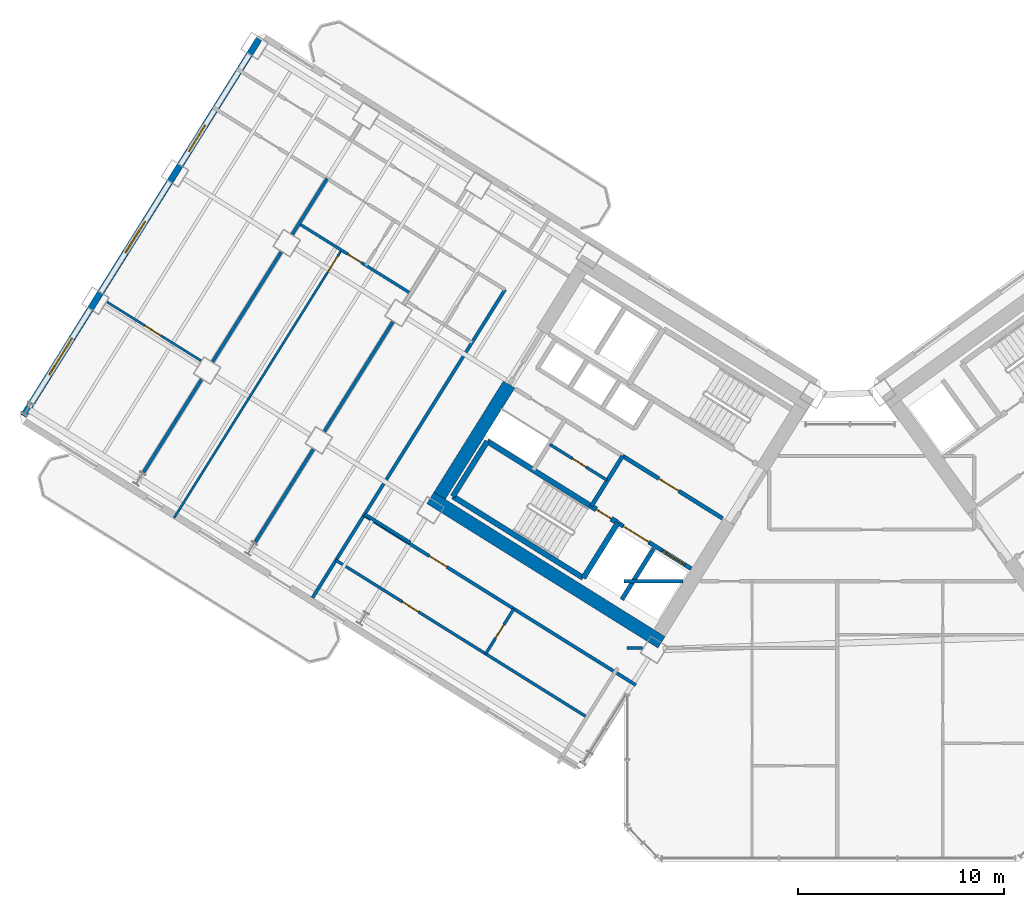
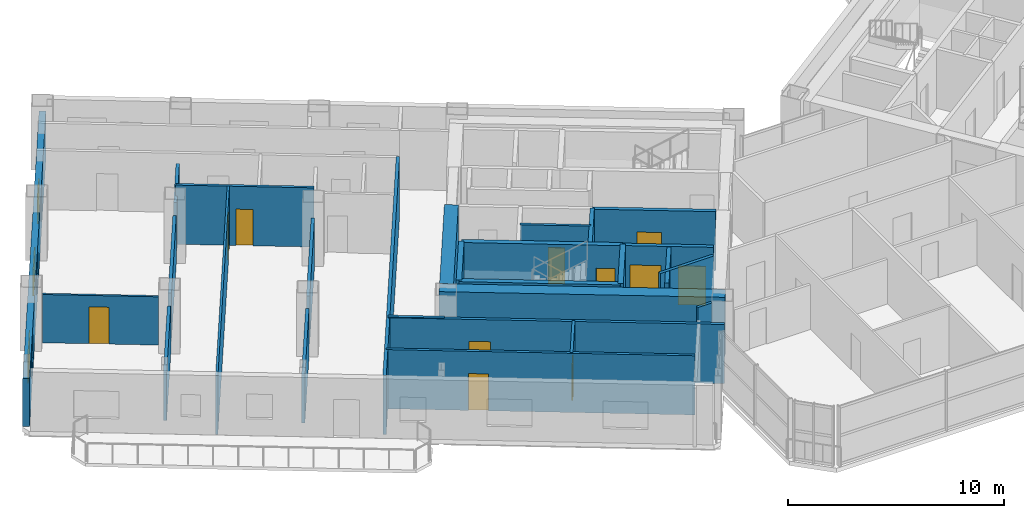
# One storey, part 15 of 24: 27 walls, 11 doors, 3 windows, 14 openings.
"""IFC4 building model written with IfcOpenShell, lengths in metres."""

from ifc_helpers import new_model, si_unit, direction, frame, frame_2d, origin, place, context, subcontext, project, spatial, rectangle, extrude, source, transform, mapped, material, layer, layer_set, type_object, element, fill, save


model = new_model("IFC4")

# Units and contexts
model_context = context("Model", 3, precision=1e-05, world=origin(), true_north=direction((0.0, 1.0)))
body_context = subcontext(model_context, "Body", "Model", "MODEL_VIEW")
ifc_project = project(units=[si_unit("LENGTHUNIT", "METRE"), si_unit("AREAUNIT", "SQUARE_METRE"), si_unit("VOLUMEUNIT", "CUBIC_METRE"), si_unit("PLANEANGLEUNIT", "RADIAN"), si_unit("MASSUNIT", "GRAM", prefix="KILO")], contexts=[model_context])

# Site, building, storey
site_placement = place(None, origin())
site = spatial("IfcSite", under=ifc_project, at=site_placement, CompositionType="ELEMENT")
building_placement = place(site_placement, origin())
building = spatial("IfcBuilding", under=site, at=building_placement, Name="Tlacorven Tower", CompositionType="ELEMENT")
storey_placement = place(building_placement, frame((0.0, 0.0, 38.39990234375)))
storey = spatial("IfcBuildingStorey", under=building, at=storey_placement, Name="L09", CompositionType="ELEMENT", Elevation=38.39990234375)

# Walls
ifc_material_1 = material(Name="Concrete C60/75", Category="concrete")
ifc_layer_1 = layer(ifc_material_1, 0.64990234375)
ifc_layer_set_1 = layer_set([ifc_layer_1], Name="Concrete C60/75")
wall_type_1 = type_object("IfcWallType", Name="WL-COR-650", PredefinedType="SHEAR", material=ifc_layer_set_1)
wall_1_placement = place(storey_placement, frame((33.40869140625, 12.449951171875, 0.0), z_axis=(0.0, 0.0, 1.0), x_axis=(-0.848051132073, 0.529914405721, 0.0)))
element("IfcWall", 1, at=wall_1_placement, inside=storey, type_object=wall_type_1, Name="L09 W core shear wall S2", PredefinedType="SHEAR", context=body_context, shape_type="SweptSolid", body=[
    extrude(rectangle(XDim=13.239990234375, YDim=0.64990234375, at=frame_2d((6.6201171875, 0.0))), origin(), (0.0, 0.0, 1.0), 3.35009765625),
])
wall_2_placement = place(storey_placement, frame((26.006591796875, 24.975830078125, 0.0), z_axis=(0.0, 0.0, 1.0), x_axis=(-0.529916319127, -0.848049936456, 0.0)))
element("IfcWall", 2, at=wall_2_placement, inside=storey, type_object=wall_type_1, Name="L09 W core end wall E2.2", PredefinedType="SHEAR", context=body_context, shape_type="SweptSolid", body=[
    extrude(rectangle(XDim=6.375, YDim=0.64990234375, at=frame_2d((3.1875, 0.0))), origin(), (0.0, 0.0, 1.0), 3.35009765625),
])
ifc_material_2 = material(Name="Gypsum plasterboard acoustic partition", Category="gypsum")
ifc_layer_2 = layer(ifc_material_2, 0.159912109375)
ifc_layer_set_2 = layer_set([ifc_layer_2], Name="Gypsum plasterboard acoustic partition")
wall_type_2 = type_object("IfcWallType", Name="WL-DEM-160", PredefinedType="PARTITIONING", material=ifc_layer_set_2)
wall_3_placement = place(storey_placement, frame((21.20556640625, 17.29248046875, 0.0), z_axis=(0.0, 0.0, 1.0), x_axis=(-0.848050851465, 0.529914854792, 0.0)))
element("IfcWall", 3, at=wall_3_placement, inside=storey, type_object=wall_type_2, Name="L09 partition 51", PredefinedType="PARTITIONING", context=body_context, shape_type="SweptSolid", body=[
    extrude(rectangle(XDim=2.60986328125, YDim=0.159912109375, at=frame_2d((1.304931640625, 0.0))), origin(), (0.0, 0.0, 1.0), 3.340087890625),
])
wall_4_placement = place(storey_placement, frame((25.806884765625, 29.58154296875, 0.0), z_axis=(0.0, 0.0, 1.0), x_axis=(-0.529918119251, -0.84804881162, 0.0)))
element("IfcWall", 4, at=wall_4_placement, inside=storey, type_object=wall_type_2, Name="L09 partition 53", PredefinedType="PARTITIONING", context=body_context, shape_type="SweptSolid", body=[
    extrude(rectangle(XDim=17.64990234375, YDim=0.159912109375, at=frame_2d((8.824951171875, 0.0))), origin(), (0.0, 0.0, 1.0), 3.340087890625),
])
wall_5_placement = place(storey_placement, frame((20.360595703125, 28.017822265625, 0.0), z_axis=(0.0, 0.0, 1.0), x_axis=(-0.529915015264, -0.848050751193, 0.0)))
element("IfcWall", 5, at=wall_5_placement, inside=storey, type_object=wall_type_2, Name="L09 WN Demising Wall 1", PredefinedType="PARTITIONING", context=body_context, shape_type="SweptSolid", body=[
    extrude(rectangle(XDim=6.27587890625, YDim=0.159912109375, at=frame_2d((3.137939453125, 0.0))), origin(), (0.0, 0.0, 1.0), 2.72509765625),
])
wall_6_placement = place(storey_placement, frame((16.4921875, 21.8271484375, 0.0), z_axis=(0.0, 0.0, 1.0), x_axis=(-0.529904608059, -0.848057254175, 0.0)))
element("IfcWall", 6, at=wall_6_placement, inside=storey, type_object=wall_type_2, Name="L09 WN Demising Wall 1", PredefinedType="PARTITIONING", context=body_context, shape_type="SweptSolid", body=[
    extrude(rectangle(XDim=5.350830078125, YDim=0.159912109375, at=frame_2d((2.67529296875, 0.0))), origin(), (0.0, 0.0, 1.0), 2.72509765625),
])
wall_7_placement = place(storey_placement, frame((17.165283203125, 34.9814453125, 0.0), z_axis=(0.0, 0.0, 1.0), x_axis=(-0.529930102756, -0.848041323399, 0.0)))
element("IfcWall", 7, at=wall_7_placement, inside=storey, type_object=wall_type_2, Name="L09 WN Demising Wall 2", PredefinedType="PARTITIONING", context=body_context, shape_type="SweptSolid", body=[
    extrude(rectangle(XDim=3.18798828125, YDim=0.159912109375, at=frame_2d((1.593994140625, 0.0))), origin(), (0.0, 0.0, 1.0), 2.72509765625),
])
wall_8_placement = place(storey_placement, frame((14.93310546875, 31.409423828125, 0.0), z_axis=(0.0, 0.0, 1.0), x_axis=(-0.529897533635, -0.848061674554, 0.0)))
element("IfcWall", 8, at=wall_8_placement, inside=storey, type_object=wall_type_2, Name="L09 WN Demising Wall 2", PredefinedType="PARTITIONING", context=body_context, shape_type="SweptSolid", body=[
    extrude(rectangle(XDim=6.276123046875, YDim=0.159912109375, at=frame_2d((3.13818359375, 0.0))), origin(), (0.0, 0.0, 1.0), 2.72509765625),
])
wall_9_placement = place(storey_placement, frame((11.064697265625, 25.218505859375, 0.0), z_axis=(0.0, 0.0, 1.0), x_axis=(-0.529904608059, -0.848057254175, 0.0)))
element("IfcWall", 9, at=wall_9_placement, inside=storey, type_object=wall_type_2, Name="L09 WN Demising Wall 2", PredefinedType="PARTITIONING", context=body_context, shape_type="SweptSolid", body=[
    extrude(rectangle(XDim=5.350830078125, YDim=0.159912109375, at=frame_2d((2.67529296875, 0.0))), origin(), (0.0, 0.0, 1.0), 2.72509765625),
])

# Wall, opening, door
wall_10_placement = place(storey_placement, frame((32.164306640625, 10.373779296875, 0.0), z_axis=(0.0, 0.0, 1.0), x_axis=(-0.848044107957, 0.529925646633, 0.0)))
wall_10 = element("IfcWall", 10, at=wall_10_placement, inside=storey, type_object=wall_type_2, Name="L09 partition 66", PredefinedType="PARTITIONING", context=body_context, shape_type="SweptSolid", body=[
    extrude(rectangle(XDim=15.570068359375, YDim=0.159912109375, at=frame_2d((7.78515625, 0.0))), origin(), (0.0, 0.0, 1.0), 3.340087890625),
])
opening_1_placement = place(wall_10_placement, frame((10.830078125, 0.0, 0.0)))
opening_1 = element("IfcOpeningElement", 11, at=opening_1_placement, cuts=wall_10, Name="Opening D11", PredefinedType="OPENING", context=body_context, shape_type="SweptSolid", body=[
    extrude(rectangle(XDim=1.0, YDim=2.10009765625, at=frame_2d((0.5, 1.050048828125))), frame((0.0, 0.08984375, 0.0), z_axis=(0.0, -1.0, 0.0), x_axis=(1.0, 0.0, 0.0)), (0.0, 0.0, 1.0), 0.179931640625),
])
ifc_material_3 = material(Name="Fire-rated steel door assembly", Category="steel")
door_type_1 = type_object("IfcDoorType", Name="DR-FLT-FD60-1000", OperationType="NOTDEFINED", PredefinedType="DOOR", material=ifc_material_3)
shared_shape_1 = source(origin(), body_context, "Body", "SweptSolid", [
    extrude(rectangle(XDim=1.0, YDim=2.10009765625, at=frame_2d((0.5, 1.050048828125))), frame((0.0, 0.02490234375, 0.0), z_axis=(0.0, -1.0, 0.0), x_axis=(1.0, 0.0, 0.0)), (0.0, 0.0, 1.0), 0.050048828125),
])
door_1_placement = place(opening_1_placement, origin())
door_1 = element("IfcDoor", 12, at=door_1_placement, inside=storey, type_object=door_type_1, Name="L09 door 035", OperationType="SINGLE_SWING_RIGHT", OverallHeight=2.10009765625, OverallWidth=1.0, PredefinedType="DOOR", context=body_context, shape_type="MappedRepresentation", body=[
    mapped(shared_shape_1, transform((0.0, 0.0, 0.0), scale=1.0)),
])
fill(opening_1, door_1)

# Wall
wall_11_placement = place(storey_placement, frame((31.60009765625, 15.419921875, 0.0), z_axis=(0.0, 0.0, 1.0), x_axis=(1.0, 0.0, 0.0)))
element("IfcWall", 13, at=wall_11_placement, inside=storey, type_object=wall_type_2, Name="L09 Knuckle Corridor South Wall", PredefinedType="PARTITIONING", context=body_context, shape_type="SweptSolid", body=[
    extrude(rectangle(XDim=2.8662109375, YDim=0.159912109375, at=frame_2d((1.43310546875, 0.0))), origin(), (0.0, 0.0, 1.0), 3.340087890625),
])

# Wall, openings, windows
ifc_material_4 = material(Name="Precast concrete C45/55", Category="concrete")
ifc_layer_3 = layer(ifc_material_4, 0.320068359375)
ifc_layer_set_3 = layer_set([ifc_layer_3], Name="Precast concrete C45/55")
wall_type_3 = type_object("IfcWallType", Name="WL-EXT-320", PredefinedType="STANDARD", material=ifc_layer_set_3)
wall_12_placement = place(storey_placement, frame((2.41455078125, 23.452392578125, 0.0), z_axis=(0.0, 0.0, 1.0), x_axis=(0.52991049553, 0.848053575387, 0.0)))
wall_12 = element("IfcWall", 14, at=wall_12_placement, inside=storey, type_object=wall_type_3, Name="L09 Masonry-Frame Recessed Facade Wall 2", PredefinedType="STANDARD", context=body_context, shape_type="SweptSolid", body=[
    extrude(rectangle(XDim=21.58740234375, YDim=0.320068359375, at=frame_2d((10.793701171875, 0.0))), origin(), (0.0, 0.0, 1.0), 2.72509765625),
])
opening_2_placement = place(wall_12_placement, frame((2.356201171875, 0.0, 0.800048828125)))
opening_2 = element("IfcOpeningElement", 15, at=opening_2_placement, cuts=wall_12, Name="Opening WN04", PredefinedType="OPENING", context=body_context, shape_type="SweptSolid", body=[
    extrude(rectangle(XDim=2.10009765625, YDim=1.550048828125, at=frame_2d((1.050048828125, 0.77490234375))), frame((0.0, 0.169921875, 0.0), z_axis=(0.0, -1.0, 0.0), x_axis=(1.0, 0.0, 0.0)), (0.0, 0.0, 1.0), 0.340087890625),
])
opening_3_placement = place(wall_12_placement, frame((9.34375, 0.0, 0.85009765625)))
opening_3 = element("IfcOpeningElement", 16, at=opening_3_placement, cuts=wall_12, Name="Opening WN01", PredefinedType="OPENING", context=body_context, shape_type="SweptSolid", body=[
    extrude(rectangle(XDim=1.800048828125, YDim=1.5, at=frame_2d((0.89990234375, 0.75))), frame((0.0, 0.169921875, 0.0), z_axis=(0.0, -1.0, 0.0), x_axis=(1.0, 0.0, 0.0)), (0.0, 0.0, 1.0), 0.340087890625),
])
opening_4_placement = place(wall_12_placement, frame((15.15380859375, 0.0, 0.85009765625)))
opening_4 = element("IfcOpeningElement", 17, at=opening_4_placement, cuts=wall_12, Name="Opening WN02", PredefinedType="OPENING", context=body_context, shape_type="SweptSolid", body=[
    extrude(rectangle(XDim=1.5, YDim=1.5, at=frame_2d((0.75, 0.75))), frame((0.0, 0.169921875, 0.0), z_axis=(0.0, -1.0, 0.0), x_axis=(1.0, 0.0, 0.0)), (0.0, 0.0, 1.0), 0.340087890625),
])
ifc_material_5 = material(Name="Dark solar low-E double glazing in anodised aluminium frame", Category="aluminium")
window_type_1 = type_object("IfcWindowType", Name="WN-APT-2100X1750", PartitioningType="SINGLE_PANEL", PredefinedType="WINDOW", material=ifc_material_5)
shared_shape_2 = source(origin(), body_context, "Body", "SweptSolid", [
    extrude(rectangle(XDim=2.10009765625, YDim=1.550048828125, at=frame_2d((1.050048828125, 0.77490234375))), frame((0.0, 0.030029296875, 0.0), z_axis=(0.0, -1.0, 0.0), x_axis=(1.0, 0.0, 0.0)), (0.0, 0.0, 1.0), 0.06005859375),
])
window_1_placement = place(opening_2_placement, origin())
window_1 = element("IfcWindow", 18, at=window_1_placement, inside=storey, type_object=window_type_1, Name="L09 Recessed Masonry-Frame Window L09-02.1", OverallHeight=1.550048828125, OverallWidth=2.10009765625, PartitioningType="SINGLE_PANEL", PredefinedType="WINDOW", context=body_context, shape_type="MappedRepresentation", body=[
    mapped(shared_shape_2, transform((0.0, 0.0, 0.0), scale=1.0)),
])
fill(opening_2, window_1)
window_type_2 = type_object("IfcWindowType", Name="WN-APT-1800X1650", PartitioningType="SINGLE_PANEL", PredefinedType="WINDOW", material=ifc_material_5)
shared_shape_3 = source(origin(), body_context, "Body", "SweptSolid", [
    extrude(rectangle(XDim=1.800048828125, YDim=1.5, at=frame_2d((0.89990234375, 0.75))), frame((0.0, 0.030029296875, 0.0), z_axis=(0.0, -1.0, 0.0), x_axis=(1.0, 0.0, 0.0)), (0.0, 0.0, 1.0), 0.06005859375),
])
window_2_placement = place(opening_3_placement, origin())
window_2 = element("IfcWindow", 19, at=window_2_placement, inside=storey, type_object=window_type_2, Name="L09 Recessed Masonry-Frame Window L09-02.2", OverallHeight=1.5, OverallWidth=1.800048828125, PartitioningType="SINGLE_PANEL", PredefinedType="WINDOW", context=body_context, shape_type="MappedRepresentation", body=[
    mapped(shared_shape_3, transform((0.0, 0.0, 0.0), scale=1.0)),
])
fill(opening_3, window_2)
window_type_3 = type_object("IfcWindowType", Name="WN-APT-1500X1650", PartitioningType="SINGLE_PANEL", PredefinedType="WINDOW", material=ifc_material_5)
shared_shape_4 = source(origin(), body_context, "Body", "SweptSolid", [
    extrude(rectangle(XDim=1.5, YDim=1.5, at=frame_2d((0.75, 0.75))), frame((0.0, 0.030029296875, 0.0), z_axis=(0.0, -1.0, 0.0), x_axis=(1.0, 0.0, 0.0)), (0.0, 0.0, 1.0), 0.06005859375),
])
window_3_placement = place(opening_4_placement, origin())
window_3 = element("IfcWindow", 20, at=window_3_placement, inside=storey, type_object=window_type_3, Name="L09 Recessed Masonry-Frame Window L09-02.3", OverallHeight=1.5, OverallWidth=1.5, PartitioningType="SINGLE_PANEL", PredefinedType="WINDOW", context=body_context, shape_type="MappedRepresentation", body=[
    mapped(shared_shape_4, transform((0.0, 0.0, 0.0), scale=1.0)),
])
fill(opening_4, window_3)

# Wall, opening, door
ifc_material_6 = material(Name="Gypsum plasterboard partition", Category="gypsum")
ifc_layer_4 = layer(ifc_material_6, 0.110107421875)
ifc_layer_set_4 = layer_set([ifc_layer_4], Name="Gypsum plasterboard partition")
wall_type_4 = type_object("IfcWallType", Name="WL-INT-110", PredefinedType="PARTITIONING", material=ifc_layer_set_4)
wall_13_placement = place(storey_placement, frame((17.860595703125, 31.504638671875, 0.0), z_axis=(0.0, 0.0, 1.0), x_axis=(-0.529928839727, -0.848042112649, 0.0)))
wall_13 = element("IfcWall", 21, at=wall_13_placement, inside=storey, type_object=wall_type_4, Name="L09 partition 62", PredefinedType="PARTITIONING", context=body_context, shape_type="SweptSolid", body=[
    extrude(rectangle(XDim=15.340087890625, YDim=0.110107421875, at=frame_2d((7.669921875, 0.0))), origin(), (0.0, 0.0, 1.0), 3.340087890625),
])
opening_5_placement = place(wall_13_placement, frame((0.35009765625, 0.0, 0.0)))
opening_5 = element("IfcOpeningElement", 22, at=opening_5_placement, cuts=wall_13, Name="Opening D12", PredefinedType="OPENING", context=body_context, shape_type="SweptSolid", body=[
    extrude(rectangle(XDim=0.919921875, YDim=2.080078125, at=frame_2d((0.4599609375, 1.0400390625))), frame((0.0, 0.06494140625, 0.0), z_axis=(0.0, -1.0, 0.0), x_axis=(1.0, 0.0, 0.0)), (0.0, 0.0, 1.0), 0.130126953125),
])
ifc_material_7 = material(Name="Powder-coated aluminium and timber door", Category="wood")
door_type_2 = type_object("IfcDoorType", Name="DR-INT-ROOM-0920", OperationType="NOTDEFINED", PredefinedType="DOOR", material=ifc_material_7)
shared_shape_5 = source(origin(), body_context, "Body", "SweptSolid", [
    extrude(rectangle(XDim=0.919921875, YDim=2.080078125, at=frame_2d((0.4599609375, 1.0400390625))), frame((0.0, 0.02490234375, 0.0), z_axis=(0.0, -1.0, 0.0), x_axis=(1.0, 0.0, 0.0)), (0.0, 0.0, 1.0), 0.050048828125),
])
door_2_placement = place(opening_5_placement, origin())
door_2 = element("IfcDoor", 23, at=door_2_placement, inside=storey, type_object=door_type_2, Name="L09 door 026", OperationType="SINGLE_SWING_LEFT", OverallHeight=2.080078125, OverallWidth=0.919921875, PredefinedType="DOOR", context=body_context, shape_type="MappedRepresentation", body=[
    mapped(shared_shape_5, transform((0.0, 0.0, 0.0), scale=1.0)),
])
fill(opening_5, door_2)

wall_14_placement = place(storey_placement, frame((11.033203125, 26.134521484375, 0.0), z_axis=(0.0, 0.0, 1.0), x_axis=(-0.848044224181, 0.529925460639, 0.0)))
wall_14 = element("IfcWall", 24, at=wall_14_placement, inside=storey, type_object=wall_type_4, Name="L09 partition 63", PredefinedType="PARTITIONING", context=body_context, shape_type="SweptSolid", body=[
    extrude(rectangle(XDim=5.3759765625, YDim=0.110107421875, at=frame_2d((2.68798828125, 0.0))), origin(), (0.0, 0.0, 1.0), 2.72509765625),
])
opening_6_placement = place(wall_14_placement, frame((2.2880859375, 0.0, 0.0)))
opening_6 = element("IfcOpeningElement", 25, at=opening_6_placement, cuts=wall_14, Name="Opening D12", PredefinedType="OPENING", context=body_context, shape_type="SweptSolid", body=[
    extrude(rectangle(XDim=0.919921875, YDim=2.080078125, at=frame_2d((0.4599609375, 1.0400390625))), frame((0.0, 0.06494140625, 0.0), z_axis=(0.0, -1.0, 0.0), x_axis=(1.0, 0.0, 0.0)), (0.0, 0.0, 1.0), 0.130126953125),
])
door_3_placement = place(opening_6_placement, origin())
door_3 = element("IfcDoor", 26, at=door_3_placement, inside=storey, type_object=door_type_2, Name="L09 door 031", OperationType="SINGLE_SWING_RIGHT", OverallHeight=2.080078125, OverallWidth=0.919921875, PredefinedType="DOOR", context=body_context, shape_type="MappedRepresentation", body=[
    mapped(shared_shape_5, transform((0.0, 0.0, 0.0), scale=1.0)),
])
fill(opening_6, door_3)

ifc_material_8 = material(Name="Moisture-resistant gypsum plumbing wall", Category="gypsum")
ifc_layer_5 = layer(ifc_material_8, 0.139892578125)
ifc_layer_set_5 = layer_set([ifc_layer_5], Name="Moisture-resistant gypsum plumbing wall")
wall_type_5 = type_object("IfcWallType", Name="WL-PLM-140", PredefinedType="PLUMBINGWALL", material=ifc_layer_set_5)
wall_15_placement = place(storey_placement, frame((30.766357421875, 20.3271484375, 0.0), z_axis=(0.0, 0.0, 1.0), x_axis=(-0.848052663127, 0.529911955482, 0.0)))
wall_15 = element("IfcWall", 27, at=wall_15_placement, inside=storey, type_object=wall_type_5, Name="L09 partition 23", PredefinedType="PLUMBINGWALL", context=body_context, shape_type="SweptSolid", body=[
    extrude(rectangle(XDim=3.27978515625, YDim=0.139892578125, at=frame_2d((1.639892578125, 0.0))), origin(), (0.0, 0.0, 1.0), 3.340087890625),
])
opening_7_placement = place(wall_15_placement, frame((1.199951171875, 0.0, 0.0)))
opening_7 = element("IfcOpeningElement", 28, at=opening_7_placement, cuts=wall_15, Name="Opening D22", PredefinedType="OPENING", context=body_context, shape_type="SweptSolid", body=[
    extrude(rectangle(XDim=0.780029296875, YDim=2.050048828125, at=frame_2d((0.39013671875, 1.02490234375))), frame((0.0, 0.080078125, 0.0), z_axis=(0.0, -1.0, 0.0), x_axis=(1.0, 0.0, 0.0)), (0.0, 0.0, 1.0), 0.159912109375),
])
door_type_3 = type_object("IfcDoorType", Name="DR-INT-WET-0780", OperationType="NOTDEFINED", PredefinedType="DOOR", material=ifc_material_7)
shared_shape_6 = source(origin(), body_context, "Body", "SweptSolid", [
    extrude(rectangle(XDim=0.780029296875, YDim=2.050048828125, at=frame_2d((0.39013671875, 1.02490234375))), frame((0.0, 0.02490234375, 0.0), z_axis=(0.0, -1.0, 0.0), x_axis=(1.0, 0.0, 0.0)), (0.0, 0.0, 1.0), 0.050048828125),
])
door_4_placement = place(opening_7_placement, origin())
door_4 = element("IfcDoor", 29, at=door_4_placement, inside=storey, type_object=door_type_3, Name="L09 door 008", OperationType="SINGLE_SWING_RIGHT", OverallHeight=2.050048828125, OverallWidth=0.780029296875, PredefinedType="DOOR", context=body_context, shape_type="MappedRepresentation", body=[
    mapped(shared_shape_6, transform((0.0, 0.0, 0.0), scale=1.0)),
])
fill(opening_7, door_4)

wall_16_placement = place(storey_placement, frame((21.2255859375, 29.40185546875, 0.0), z_axis=(0.0, 0.0, 1.0), x_axis=(-0.848039019877, 0.529933789039, 0.0)))
wall_16 = element("IfcWall", 30, at=wall_16_placement, inside=storey, type_object=wall_type_5, Name="L09 partition 60", PredefinedType="PLUMBINGWALL", context=body_context, shape_type="SweptSolid", body=[
    extrude(rectangle(XDim=6.400146484375, YDim=0.139892578125, at=frame_2d((3.2001953125, 0.0))), origin(), (0.0, 0.0, 1.0), 3.340087890625),
])
opening_8_placement = place(wall_16_placement, frame((2.823974609375, 0.0, 0.0)))
opening_8 = element("IfcOpeningElement", 31, at=opening_8_placement, cuts=wall_16, Name="Opening D22", PredefinedType="OPENING", context=body_context, shape_type="SweptSolid", body=[
    extrude(rectangle(XDim=0.780029296875, YDim=2.050048828125, at=frame_2d((0.39013671875, 1.02490234375))), frame((0.0, 0.080078125, 0.0), z_axis=(0.0, -1.0, 0.0), x_axis=(1.0, 0.0, 0.0)), (0.0, 0.0, 1.0), 0.159912109375),
])
door_5_placement = place(opening_8_placement, origin())
door_5 = element("IfcDoor", 32, at=door_5_placement, inside=storey, type_object=door_type_3, Name="L09 door 028", OperationType="SINGLE_SWING_LEFT", OverallHeight=2.050048828125, OverallWidth=0.780029296875, PredefinedType="DOOR", context=body_context, shape_type="MappedRepresentation", body=[
    mapped(shared_shape_6, transform((0.0, 0.0, 0.0), scale=1.0)),
])
fill(opening_8, door_5)

wall_17_placement = place(storey_placement, frame((29.72021484375, 8.85888671875, 0.0), z_axis=(0.0, 0.0, 1.0), x_axis=(-0.848049134363, 0.529917602752, 0.0)))
wall_17 = element("IfcWall", 33, at=wall_17_placement, inside=storey, type_object=wall_type_5, Name="L09 partition 68", PredefinedType="PLUMBINGWALL", context=body_context, shape_type="SweptSolid", body=[
    extrude(rectangle(XDim=14.300048828125, YDim=0.139892578125, at=frame_2d((7.14990234375, 0.0))), origin(), (0.0, 0.0, 1.0), 3.340087890625),
])
opening_9_placement = place(wall_17_placement, frame((9.570068359375, 0.0, 0.0)))
opening_9 = element("IfcOpeningElement", 34, at=opening_9_placement, cuts=wall_17, Name="Opening D12", PredefinedType="OPENING", context=body_context, shape_type="SweptSolid", body=[
    extrude(rectangle(XDim=0.919921875, YDim=2.080078125, at=frame_2d((0.4599609375, 1.0400390625))), frame((0.0, 0.080078125, 0.0), z_axis=(0.0, -1.0, 0.0), x_axis=(1.0, 0.0, 0.0)), (0.0, 0.0, 1.0), 0.159912109375),
])
door_6_placement = place(opening_9_placement, origin())
door_6 = element("IfcDoor", 35, at=door_6_placement, inside=storey, type_object=door_type_2, Name="L09 door 036", OperationType="SINGLE_SWING_LEFT", OverallHeight=2.080078125, OverallWidth=0.919921875, PredefinedType="DOOR", context=body_context, shape_type="MappedRepresentation", body=[
    mapped(shared_shape_5, transform((0.0, 0.0, 0.0), scale=1.0)),
])
fill(opening_9, door_6)

wall_18_placement = place(storey_placement, frame((26.236572265625, 14.077880859375, 0.0), z_axis=(0.0, 0.0, 1.0), x_axis=(-0.52995640672, -0.848024885824, 0.0)))
wall_18 = element("IfcWall", 36, at=wall_18_placement, inside=storey, type_object=wall_type_5, Name="L09 partition 69", PredefinedType="PLUMBINGWALL", context=body_context, shape_type="SweptSolid", body=[
    extrude(rectangle(XDim=2.579833984375, YDim=0.139892578125, at=frame_2d((1.2900390625, 0.0))), origin(), (0.0, 0.0, 1.0), 3.340087890625),
])
opening_10_placement = place(wall_18_placement, frame((0.89990234375, 0.0, 0.0)))
opening_10 = element("IfcOpeningElement", 37, at=opening_10_placement, cuts=wall_18, Name="Opening D22", PredefinedType="OPENING", context=body_context, shape_type="SweptSolid", body=[
    extrude(rectangle(XDim=0.780029296875, YDim=2.050048828125, at=frame_2d((0.39013671875, 1.02490234375))), frame((0.0, 0.080078125, 0.0), z_axis=(0.0, -1.0, 0.0), x_axis=(1.0, 0.0, 0.0)), (0.0, 0.0, 1.0), 0.159912109375),
])
door_7_placement = place(opening_10_placement, origin())
door_7 = element("IfcDoor", 38, at=door_7_placement, inside=storey, type_object=door_type_3, Name="L09 door 037", OperationType="SINGLE_SWING_RIGHT", OverallHeight=2.050048828125, OverallWidth=0.780029296875, PredefinedType="DOOR", context=body_context, shape_type="MappedRepresentation", body=[
    mapped(shared_shape_6, transform((0.0, 0.0, 0.0), scale=1.0)),
])
fill(opening_10, door_7)

# Wall
wall_19_placement = place(storey_placement, frame((31.739990234375, 12.169921875, 0.0), z_axis=(0.0, 0.0, 1.0), x_axis=(1.0, 0.0, 0.0)))
element("IfcWall", 39, at=wall_19_placement, inside=storey, type_object=wall_type_5, Name="L09 partition 79", PredefinedType="PLUMBINGWALL", context=body_context, shape_type="SweptSolid", body=[
    extrude(rectangle(XDim=0.75439453125, YDim=0.139892578125, at=frame_2d((0.377197265625, 0.0))), origin(), (0.0, 0.0, 1.0), 3.340087890625),
])

# Wall, openings, doors
ifc_material_9 = material(Name="Concrete C40/50", Category="concrete")
ifc_layer_6 = layer(ifc_material_9, 0.199951171875)
ifc_layer_set_6 = layer_set([ifc_layer_6], Name="Concrete C40/50")
wall_type_6 = type_object("IfcWallType", Name="WL-SHF-200", PredefinedType="STANDARD", material=ifc_layer_set_6)
wall_20_placement = place(storey_placement, frame((34.84814453125, 16.03125, 0.0), z_axis=(0.0, 0.0, 1.0), x_axis=(-0.848044042236, 0.529925751807, 0.0)))
wall_20 = element("IfcWall", 40, at=wall_20_placement, inside=storey, type_object=wall_type_6, Name="L09 Core W Firefighting Lift Shaft Front Wall", PredefinedType="STANDARD", context=body_context, shape_type="SweptSolid", body=[
    extrude(rectangle(XDim=4.197998046875, YDim=0.199951171875, at=frame_2d((2.09912109375, 0.0))), origin(), (0.0, 0.0, 1.0), 3.340087890625),
])
opening_11_placement = place(wall_20_placement, frame((0.347900390625, 0.0, 0.0)))
opening_11 = element("IfcOpeningElement", 41, at=opening_11_placement, cuts=wall_20, Name="Opening LD03", PredefinedType="OPENING", context=body_context, shape_type="SweptSolid", body=[
    extrude(rectangle(XDim=1.300048828125, YDim=2.199951171875, at=frame_2d((0.64990234375, 1.10009765625))), frame((0.0, 0.10986328125, 0.0), z_axis=(0.0, -1.0, 0.0), x_axis=(1.0, 0.0, 0.0)), (0.0, 0.0, 1.0), 0.219970703125),
])
opening_12_placement = place(wall_20_placement, frame((2.423095703125, 0.0, 0.0)))
opening_12 = element("IfcOpeningElement", 42, at=opening_12_placement, cuts=wall_20, Name="Opening LD04", PredefinedType="OPENING", context=body_context, shape_type="SweptSolid", body=[
    extrude(rectangle(XDim=1.449951171875, YDim=2.25, at=frame_2d((0.72509765625, 1.125))), frame((0.0, 0.10986328125, 0.0), z_axis=(0.0, -1.0, 0.0), x_axis=(1.0, 0.0, 0.0)), (0.0, 0.0, 1.0), 0.219970703125),
])
door_type_4 = type_object("IfcDoorType", Name="DR-LFT-SLID-1300", OperationType="DOUBLE_DOOR_SLIDING", PredefinedType="DOOR", material=ifc_material_3)
shared_shape_7 = source(origin(), body_context, "Body", "SweptSolid", [
    extrude(rectangle(XDim=1.300048828125, YDim=2.199951171875, at=frame_2d((0.64990234375, 1.10009765625))), frame((0.0, 0.02490234375, 0.0), z_axis=(0.0, -1.0, 0.0), x_axis=(1.0, 0.0, 0.0)), (0.0, 0.0, 1.0), 0.050048828125),
])
door_8_placement = place(opening_11_placement, origin())
door_8 = element("IfcDoor", 43, at=door_8_placement, inside=storey, type_object=door_type_4, Name="L09 Lift FFL-W1 Sliding Landing Door", OperationType="DOUBLE_DOOR_SLIDING", OverallHeight=2.199951171875, OverallWidth=1.300048828125, PredefinedType="DOOR", context=body_context, shape_type="MappedRepresentation", body=[
    mapped(shared_shape_7, transform((0.0, 0.0, 0.0), scale=1.0)),
])
fill(opening_11, door_8)
door_type_5 = type_object("IfcDoorType", Name="DR-LFT-SLID-1450", OperationType="DOUBLE_DOOR_SLIDING", PredefinedType="DOOR", material=ifc_material_3)
shared_shape_8 = source(origin(), body_context, "Body", "SweptSolid", [
    extrude(rectangle(XDim=1.449951171875, YDim=2.25, at=frame_2d((0.72509765625, 1.125))), frame((0.0, 0.02490234375, 0.0), z_axis=(0.0, -1.0, 0.0), x_axis=(1.0, 0.0, 0.0)), (0.0, 0.0, 1.0), 0.050048828125),
])
door_9_placement = place(opening_12_placement, origin())
door_9 = element("IfcDoor", 44, at=door_9_placement, inside=storey, type_object=door_type_5, Name="L09 Lift SVL-W1 Sliding Landing Door", OperationType="DOUBLE_DOOR_SLIDING", OverallHeight=2.25, OverallWidth=1.449951171875, PredefinedType="DOOR", context=body_context, shape_type="MappedRepresentation", body=[
    mapped(shared_shape_8, transform((0.0, 0.0, 0.0), scale=1.0)),
])
fill(opening_12, door_9)

# Wall, opening, door
wall_21_placement = place(storey_placement, frame((36.374267578125, 18.4736328125, 0.0), z_axis=(0.0, 0.0, 1.0), x_axis=(-0.848051071577, 0.529914502535, 0.0)))
wall_21 = element("IfcWall", 45, at=wall_21_placement, inside=storey, type_object=wall_type_6, Name="L09 Core W Smoke Lobby Wall", PredefinedType="STANDARD", context=body_context, shape_type="SweptSolid", body=[
    extrude(rectangle(XDim=5.718017578125, YDim=0.199951171875, at=frame_2d((2.85888671875, 0.0))), origin(), (0.0, 0.0, 1.0), 3.340087890625),
])
opening_13_placement = place(wall_21_placement, frame((2.498046875, 0.0, 0.0)))
opening_13 = element("IfcOpeningElement", 46, at=opening_13_placement, cuts=wall_21, Name="Opening D09", PredefinedType="OPENING", context=body_context, shape_type="SweptSolid", body=[
    extrude(rectangle(XDim=1.14990234375, YDim=2.10009765625, at=frame_2d((0.574951171875, 1.050048828125))), frame((0.0, 0.10986328125, 0.0), z_axis=(0.0, -1.0, 0.0), x_axis=(1.0, 0.0, 0.0)), (0.0, 0.0, 1.0), 0.219970703125),
])
door_type_6 = type_object("IfcDoorType", Name="DR-FFL-FD60-1150", OperationType="NOTDEFINED", PredefinedType="DOOR", material=ifc_material_3)
shared_shape_9 = source(origin(), body_context, "Body", "SweptSolid", [
    extrude(rectangle(XDim=1.14990234375, YDim=2.10009765625, at=frame_2d((0.574951171875, 1.050048828125))), frame((0.0, 0.02490234375, 0.0), z_axis=(0.0, -1.0, 0.0), x_axis=(1.0, 0.0, 0.0)), (0.0, 0.0, 1.0), 0.050048828125),
])
door_10_placement = place(opening_13_placement, origin())
door_10 = element("IfcDoor", 47, at=door_10_placement, inside=storey, type_object=door_type_6, Name="L09 Firefighting Lobby W Fire Door", OperationType="SINGLE_SWING_LEFT", OverallHeight=2.10009765625, OverallWidth=1.14990234375, PredefinedType="DOOR", context=body_context, shape_type="MappedRepresentation", body=[
    mapped(shared_shape_9, transform((0.0, 0.0, 0.0), scale=1.0)),
])
fill(opening_13, door_10)

# Walls
wall_22_placement = place(storey_placement, frame((33.02880859375, 17.003173828125, 0.0), z_axis=(0.0, 0.0, 1.0), x_axis=(-0.529916267533, -0.848049968695, 0.0)))
element("IfcWall", 48, at=wall_22_placement, inside=storey, type_object=wall_type_6, Name="L09 partition 14", PredefinedType="STANDARD", context=body_context, shape_type="SweptSolid", body=[
    extrude(rectangle(XDim=2.919921875, YDim=0.199951171875, at=frame_2d((1.4599609375, 0.0))), origin(), (0.0, 0.0, 1.0), 3.340087890625),
])
wall_23_placement = place(storey_placement, frame((31.525146484375, 21.503662109375, 0.0), z_axis=(0.0, 0.0, 1.0), x_axis=(-0.529907497854, -0.848055448493, 0.0)))
element("IfcWall", 49, at=wall_23_placement, inside=storey, type_object=wall_type_6, Name="L09 partition 20", PredefinedType="STANDARD", context=body_context, shape_type="SweptSolid", body=[
    extrude(rectangle(XDim=2.8798828125, YDim=0.199951171875, at=frame_2d((1.43994140625, 0.0))), origin(), (0.0, 0.0, 1.0), 3.340087890625),
])
ifc_material_10 = material(Name="Concrete C50/60", Category="concrete")
ifc_layer_7 = layer(ifc_material_10, 0.260009765625)
ifc_layer_set_7 = layer_set([ifc_layer_7], Name="Concrete C50/60")
wall_type_7 = type_object("IfcWallType", Name="WL-STW-260", PredefinedType="SHEAR", material=ifc_layer_set_7)
wall_24_placement = place(storey_placement, frame((29.60498046875, 15.581298828125, 0.0), z_axis=(0.0, 0.0, 1.0), x_axis=(-0.848036911448, 0.529937163087, 0.0)))
element("IfcWall", 50, at=wall_24_placement, inside=storey, type_object=wall_type_7, Name="L09 Stair W1 Far Shear Wall", PredefinedType="SHEAR", context=body_context, shape_type="SweptSolid", body=[
    extrude(rectangle(XDim=7.4599609375, YDim=0.260009765625, at=frame_2d((3.72998046875, 0.0))), origin(), (0.0, 0.0, 1.0), 3.35009765625),
])

# Wall, opening, door
wall_25_placement = place(storey_placement, frame((31.279541015625, 18.26123046875, 0.0), z_axis=(0.0, 0.0, 1.0), x_axis=(-0.848051618787, 0.529913626805, 0.0)))
wall_25 = element("IfcWall", 51, at=wall_25_placement, inside=storey, type_object=wall_type_7, Name="L09 Stair W1 Lobby Shear Wall", PredefinedType="SHEAR", context=body_context, shape_type="SweptSolid", body=[
    extrude(rectangle(XDim=7.4599609375, YDim=0.260009765625, at=frame_2d((3.72998046875, 0.0))), origin(), (0.0, 0.0, 1.0), 3.35009765625),
])
opening_14_placement = place(wall_25_placement, frame((0.360107421875, 0.0, 0.0)))
opening_14 = element("IfcOpeningElement", 52, at=opening_14_placement, cuts=wall_25, Name="Opening D19", PredefinedType="OPENING", context=body_context, shape_type="SweptSolid", body=[
    extrude(rectangle(XDim=0.860107421875, YDim=2.050048828125, at=frame_2d((0.43017578125, 1.02490234375))), frame((0.0, 0.14013671875, 0.0), z_axis=(0.0, -1.0, 0.0), x_axis=(1.0, 0.0, 0.0)), (0.0, 0.0, 1.0), 0.280029296875),
])
door_type_7 = type_object("IfcDoorType", Name="DR-RSR-FD60-0860", OperationType="NOTDEFINED", PredefinedType="DOOR", material=ifc_material_3)
shared_shape_10 = source(origin(), body_context, "Body", "SweptSolid", [
    extrude(rectangle(XDim=0.860107421875, YDim=2.050048828125, at=frame_2d((0.43017578125, 1.02490234375))), frame((0.0, 0.02490234375, 0.0), z_axis=(0.0, -1.0, 0.0), x_axis=(1.0, 0.0, 0.0)), (0.0, 0.0, 1.0), 0.050048828125),
])
door_11_placement = place(opening_14_placement, frame((0.860107421875, 0.0, 0.0), z_axis=(0.0, 0.0, 1.0), x_axis=(-1.0, 0.0, 0.0)))
door_11 = element("IfcDoor", 53, at=door_11_placement, inside=storey, type_object=door_type_7, Name="L09 Exit Stair W1 Fire Door", OperationType="SINGLE_SWING_LEFT", OverallHeight=2.050048828125, OverallWidth=0.860107421875, PredefinedType="DOOR", context=body_context, shape_type="MappedRepresentation", body=[
    mapped(shared_shape_10, transform((0.0, 0.0, 0.0), scale=1.0)),
])
fill(opening_14, door_11)

# Walls
wall_26_placement = place(storey_placement, frame((31.2880859375, 18.255859375, 0.0), z_axis=(0.0, 0.0, 1.0), x_axis=(-0.529943379326, -0.848033026897, 0.0)))
element("IfcWall", 54, at=wall_26_placement, inside=storey, type_object=wall_type_7, Name="L09 Stair W1 West Shear Wall", PredefinedType="SHEAR", context=body_context, shape_type="SweptSolid", body=[
    extrude(rectangle(XDim=3.159912109375, YDim=0.260009765625, at=frame_2d((1.580078125, 0.0))), origin(), (0.0, 0.0, 1.0), 3.35009765625),
])
wall_27_placement = place(storey_placement, frame((24.944580078125, 22.2197265625, 0.0), z_axis=(0.0, 0.0, 1.0), x_axis=(-0.529908658664, -0.84805472316, 0.0)))
element("IfcWall", 55, at=wall_27_placement, inside=storey, type_object=wall_type_7, Name="L09 Stair W1 East Shear Wall", PredefinedType="SHEAR", context=body_context, shape_type="SweptSolid", body=[
    extrude(rectangle(XDim=3.16015625, YDim=0.260009765625, at=frame_2d((1.580078125, 0.0))), origin(), (0.0, 0.0, 1.0), 3.35009765625),
])

save(model, "model.ifc")
